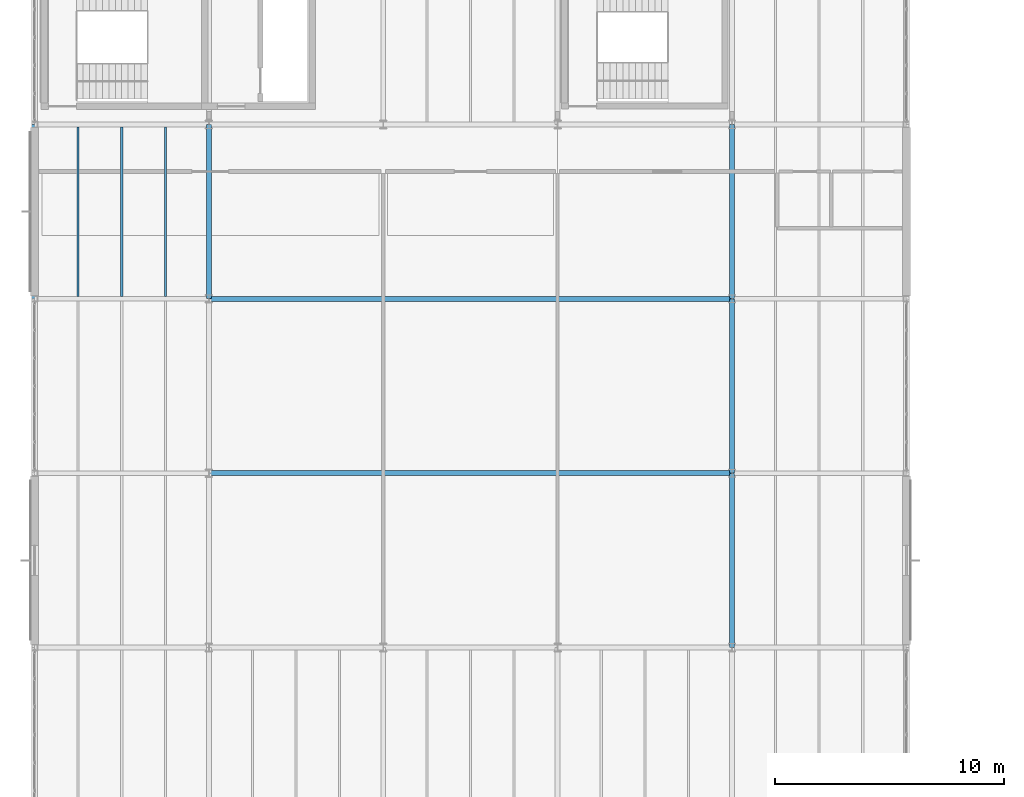
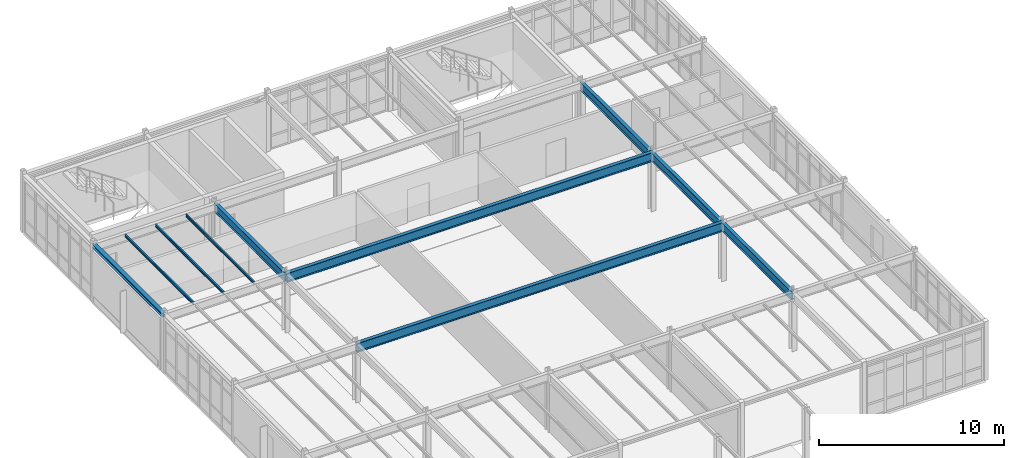
# One storey, part 64 of 189: 10 beams.
"""IFC4 building model written with IfcOpenShell, lengths in metres."""

from ifc_helpers import new_model, si_unit, direction, frame, origin, origin_2d, place, context, subcontext, project, spatial, i_section, extrude, material, material_profile, profile_set, type_object, element, save


model = new_model("IFC4")

# Units and contexts
model_context = context("Model", 3, precision=1e-05, world=origin(), true_north=direction((0.0, 1.0)))
body_context = subcontext(model_context, "Body", "Model", "MODEL_VIEW")
ifc_project = project(units=[si_unit("LENGTHUNIT", "METRE"), si_unit("AREAUNIT", "SQUARE_METRE"), si_unit("VOLUMEUNIT", "CUBIC_METRE"), si_unit("PLANEANGLEUNIT", "RADIAN"), si_unit("MASSUNIT", "GRAM", prefix="KILO")], contexts=[model_context])

# Site, building, storey
site_placement = place(None, origin())
site = spatial("IfcSite", under=ifc_project, at=site_placement, CompositionType="ELEMENT")
building_placement = place(site_placement, origin())
building = spatial("IfcBuilding", under=site, at=building_placement, Name="Montecoro Central Library", CompositionType="ELEMENT")
storey_placement = place(building_placement, frame((0.0, 0.0, 9.179931640625)))
storey = spatial("IfcBuildingStorey", under=building, at=storey_placement, Name="L02", CompositionType="ELEMENT", Elevation=9.179931640625)

# Beams
ifc_material_1 = material(Name="Steel S355J2", Category="steel")
ifc_material_profile_1 = material_profile(ifc_material_1, i_section(OverallWidth=0.2099609375, OverallDepth=0.550048828125, WebThickness=0.010986328125, FlangeThickness=0.01708984375, at=origin_2d()), Name="IPE 550")
ifc_profile_set_1 = profile_set([ifc_material_profile_1], Name="Steel S355J2")
beam_type_1 = type_object("IfcBeamType", Name="BM-G-IPE550", PredefinedType="USERDEFINED", material=ifc_profile_set_1)
beam_1_placement = place(storey_placement, frame((12.60009765625, 96.205078125, 3.550048828125), z_axis=(0.0, 1.0, 0.0), x_axis=(-1.0, 0.0, 0.0)))
element("IfcBeam", 1, at=beam_1_placement, inside=storey, type_object=beam_type_1, Name="V4-L02-BY-2-NP", ObjectType="GIRDER", PredefinedType="USERDEFINED", context=body_context, shape_type="SweptSolid", body=[
    extrude(i_section(OverallWidth=0.2099609375, OverallDepth=0.550048828125, WebThickness=0.010986328125, FlangeThickness=0.01708984375, at=origin_2d()), origin(), (0.0, 0.0, 1.0), 7.58984375),
])
for number, where, z_axis, x_axis, name in (
    (2, (35.39990234375, 81.0048828125, 3.550048828125), (0.0, 1.0, 0.0), (-1.0, 0.0, 0.0), "V4-L02-BY-5-LM"),
    (3, (35.39990234375, 88.60498046875, 3.550048828125), (0.0, 1.0, 0.0), (-1.0, 0.0, 0.0), "V4-L02-BY-5-MN"),
):
    element("IfcBeam", number, at=place(storey_placement, frame(where, z_axis=z_axis, x_axis=x_axis)), inside=storey, type_object=beam_type_1, Name=name, ObjectType="GIRDER", PredefinedType="USERDEFINED", context=body_context, shape_type="SweptSolid", body=[
        extrude(i_section(OverallWidth=0.2099609375, OverallDepth=0.550048828125, WebThickness=0.010986328125, FlangeThickness=0.01708984375, at=origin_2d()), origin(), (0.0, 0.0, 1.0), 7.590087890625),
    ])
beam_2_placement = place(storey_placement, frame((35.39990234375, 96.205078125, 3.550048828125), z_axis=(0.0, 1.0, 0.0), x_axis=(-1.0, 0.0, 0.0)))
element("IfcBeam", 4, at=beam_2_placement, inside=storey, type_object=beam_type_1, Name="V4-L02-BY-5-NP", ObjectType="GIRDER", PredefinedType="USERDEFINED", context=body_context, shape_type="SweptSolid", body=[
    extrude(i_section(OverallWidth=0.2099609375, OverallDepth=0.550048828125, WebThickness=0.010986328125, FlangeThickness=0.01708984375, at=origin_2d()), origin(), (0.0, 0.0, 1.0), 7.58984375),
])
ifc_material_profile_2 = material_profile(ifc_material_1, i_section(OverallWidth=0.219970703125, OverallDepth=0.60009765625, WebThickness=0.011962890625, FlangeThickness=0.01904296875, at=origin_2d()), Name="IPE 600")
ifc_profile_set_2 = profile_set([ifc_material_profile_2], Name="Steel S355J2")
beam_type_2 = type_object("IfcBeamType", Name="BM-G-IPE600", PredefinedType="USERDEFINED", material=ifc_profile_set_2)
for number, where, z_axis, x_axis, name in (
    (5, (12.60498046875, 88.60009765625, 3.525146484375), (1.0, 0.0, 0.0), (0.0, 1.0, 0.0), "V4-L02-AUDG-M"),
    (6, (12.60498046875, 96.199951171875, 3.525146484375), (1.0, 0.0, 0.0), (0.0, 1.0, 0.0), "V4-L02-AUDG-N"),
):
    element("IfcBeam", number, at=place(storey_placement, frame(where, z_axis=z_axis, x_axis=x_axis)), inside=storey, type_object=beam_type_2, Name=name, ObjectType="GIRDER", PredefinedType="USERDEFINED", context=body_context, shape_type="SweptSolid", body=[
        extrude(i_section(OverallWidth=0.219970703125, OverallDepth=0.60009765625, WebThickness=0.011962890625, FlangeThickness=0.01904296875, at=origin_2d()), origin(), (0.0, 0.0, 1.0), 22.7900390625),
    ])
ifc_material_2 = material(Name="Steel S355", Category="steel")
ifc_material_profile_3 = material_profile(ifc_material_2, i_section(OverallWidth=0.091064453125, OverallDepth=0.179931640625, WebThickness=0.00537109375, FlangeThickness=0.008056640625, at=origin_2d()), Name="IPE 180")
ifc_profile_set_3 = profile_set([ifc_material_profile_3], Name="Steel S355")
beam_type_3 = type_object("IfcBeamType", Name="BM-J-IPE180", PredefinedType="JOIST", material=ifc_profile_set_3)
for number, where, z_axis, x_axis, name in (
    (7, (6.89990234375, 96.302001953125, 3.735107421875), (0.0, 1.0, 0.0), (-1.0, 0.0, 0.0), "V4-L02-JS-12-NP-1"),
    (8, (8.800048828125, 96.302001953125, 3.735107421875), (0.0, 1.0, 0.0), (-1.0, 0.0, 0.0), "V4-L02-JS-12-NP-2"),
    (9, (10.699951171875, 96.302001953125, 3.735107421875), (0.0, 1.0, 0.0), (-1.0, 0.0, 0.0), "V4-L02-JS-12-NP-3"),
):
    element("IfcBeam", number, at=place(storey_placement, frame(where, z_axis=z_axis, x_axis=x_axis)), inside=storey, type_object=beam_type_3, Name=name, PredefinedType="JOIST", context=body_context, shape_type="SweptSolid", body=[
        extrude(i_section(OverallWidth=0.091064453125, OverallDepth=0.179931640625, WebThickness=0.00537109375, FlangeThickness=0.008056640625, at=origin_2d()), origin(), (0.0, 0.0, 1.0), 7.39599609375),
    ])
ifc_material_profile_4 = material_profile(ifc_material_2, i_section(OverallWidth=0.260009765625, OverallDepth=0.25, WebThickness=0.007568359375, FlangeThickness=0.012451171875, at=origin_2d()), Name="HEA 260")
ifc_profile_set_4 = profile_set([ifc_material_profile_4], Name="Steel S355")
beam_type_4 = type_object("IfcBeamType", Name="BM-SP-HEA260", PredefinedType="SPANDREL", material=ifc_profile_set_4)
beam_3_placement = place(storey_placement, frame((5.0, 96.205078125, 3.699951171875), z_axis=(0.0, 1.0, 0.0), x_axis=(-1.0, 0.0, 0.0)))
element("IfcBeam", 10, at=beam_3_placement, inside=storey, type_object=beam_type_4, Name="V4-L02-BY-1-NP", PredefinedType="SPANDREL", context=body_context, shape_type="SweptSolid", body=[
    extrude(i_section(OverallWidth=0.260009765625, OverallDepth=0.25, WebThickness=0.007568359375, FlangeThickness=0.012451171875, at=origin_2d()), origin(), (0.0, 0.0, 1.0), 7.58984375),
])

save(model, "model.ifc")
